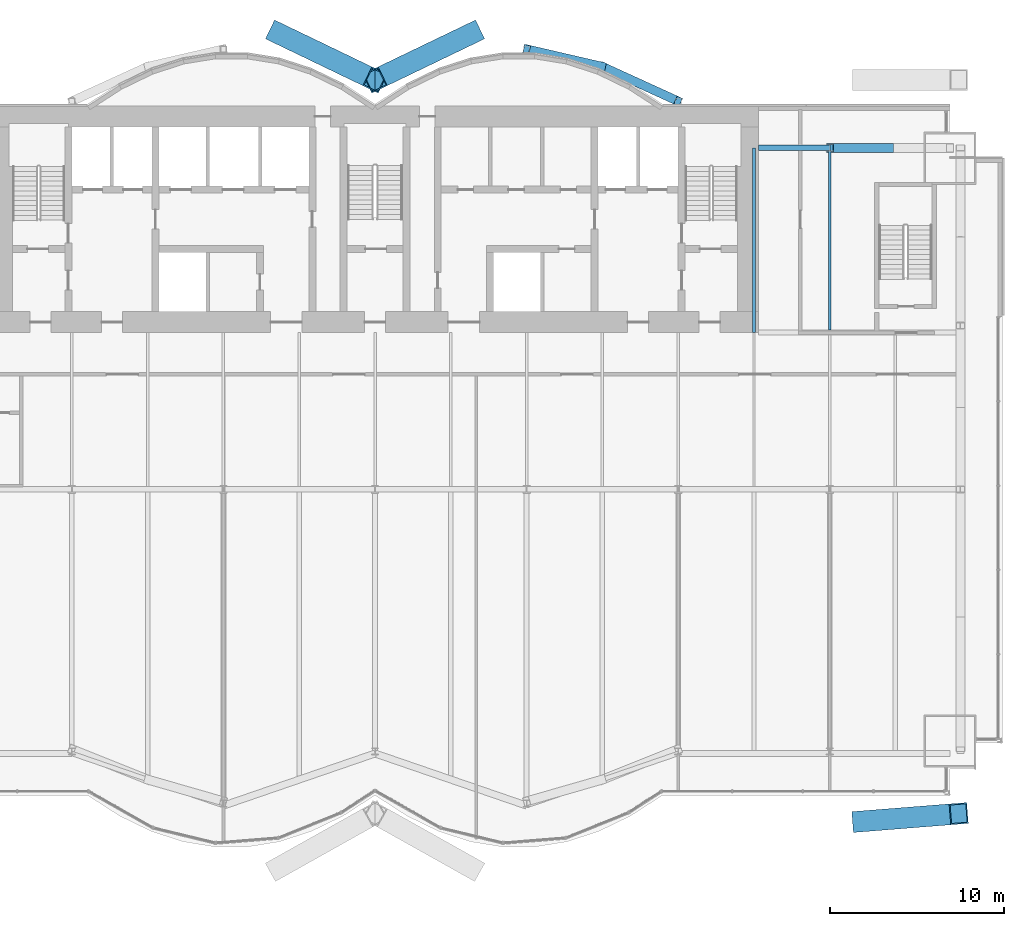
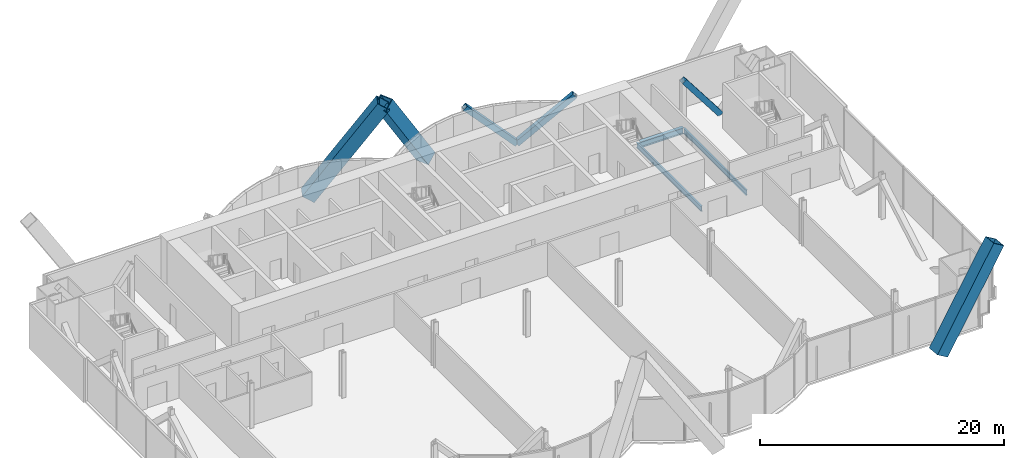
# One storey, part 11 of 21: 6 members, 3 beams.
"""IFC4 building model written with IfcOpenShell, lengths in metres."""

from ifc_helpers import new_model, si_unit, direction, frame, origin, origin_2d, place, context, subcontext, project, spatial, hollow_rectangle, i_section, extrude, material, material_profile, profile_set, type_object, element, save


model = new_model("IFC4")

# Units and contexts
model_context = context("Model", 3, precision=1e-05, world=origin(), true_north=direction((0.0, 1.0)))
body_context = subcontext(model_context, "Body", "Model", "MODEL_VIEW")
ifc_project = project(units=[si_unit("LENGTHUNIT", "METRE"), si_unit("AREAUNIT", "SQUARE_METRE"), si_unit("VOLUMEUNIT", "CUBIC_METRE"), si_unit("PLANEANGLEUNIT", "RADIAN"), si_unit("MASSUNIT", "GRAM", prefix="KILO")], contexts=[model_context])

# Site, building, storey
site_placement = place(None, origin())
site = spatial("IfcSite", under=ifc_project, at=site_placement, CompositionType="ELEMENT")
building_placement = place(site_placement, origin())
building = spatial("IfcBuilding", under=site, at=building_placement, Name="Bicima Exchange Tower", CompositionType="ELEMENT")
storey_placement = place(building_placement, frame((0.0, 0.0, 80.0)))
storey = spatial("IfcBuildingStorey", under=building, at=storey_placement, Name="L16", CompositionType="ELEMENT", Elevation=80.0)

# Members
ifc_material_1 = material(Name="Steel ASTM A572 Gr 50", Category="steel")
ifc_material_profile_1 = material_profile(ifc_material_1, hollow_rectangle(XDim=1.199951171875, YDim=1.199951171875, WallThickness=0.070068359375, at=origin_2d()))
ifc_profile_set_1 = profile_set([ifc_material_profile_1], Name="Steel ASTM A572 Gr 50")
member_type_1 = type_object("IfcMemberType", Name="Exo mega brace BOX 1200x1200x70", PredefinedType="BRACE", material=ifc_profile_set_1)
member_1_placement = place(storey_placement, frame((27.916748046875, -41.055908203125, 0.074951171875), z_axis=(0.52987784302, 0.042053797065, 0.847030666286), x_axis=(-0.079116300998, 0.996865392576, 0.0)))
element("IfcMember", 1, at=member_1_placement, inside=storey, type_object=member_type_1, Name="Exo mega brace front", PredefinedType="BRACE", context=body_context, shape_type="SweptSolid", body=[
    extrude(hollow_rectangle(XDim=1.199951171875, YDim=1.199951171875, WallThickness=0.070068359375, at=origin_2d()), origin(), (0.0, 0.0, 1.0), 10.536865234375),
])
for number, where, z_axis, x_axis, name in (
    (2, (-5.583251953125, 4.1865234375, 0.074951171875), (0.513878528582, -0.24726570154, 0.821455130061), (0.433591692225, 0.901109451972, 0.0), "Exo mega brace rear"),
    (3, (5.583251953125, 4.1865234375, 0.074951171875), (-0.513878528582, -0.24726570154, 0.821455130061), (0.433591692225, -0.901109451972, 0.0), "Exo mega brace rear"),
):
    element("IfcMember", number, at=place(storey_placement, frame(where, z_axis=z_axis, x_axis=x_axis)), inside=storey, type_object=member_type_1, Name=name, PredefinedType="BRACE", context=body_context, shape_type="SweptSolid", body=[
        extrude(hollow_rectangle(XDim=1.199951171875, YDim=1.199951171875, WallThickness=0.070068359375, at=origin_2d()), origin(), (0.0, 0.0, 1.0), 10.864990234375),
    ])

# Beams
ifc_material_2 = material(Name="Steel ASTM A992 Gr 50", Category="steel")
ifc_material_profile_2 = material_profile(ifc_material_2, i_section(OverallWidth=0.165771484375, OverallDepth=0.5283203125, WebThickness=0.009765625, FlangeThickness=0.013671875, at=origin_2d()))
ifc_profile_set_2 = profile_set([ifc_material_profile_2], Name="Steel ASTM A992 Gr 50")
beam_type_1 = type_object("IfcBeamType", Name="Floor beam W21x50", PredefinedType="JOIST", material=ifc_profile_set_2)
beam_1_placement = place(storey_placement, frame((21.75, -2.39990234375, -0.414306640625), z_axis=(0.0, -1.0, 0.0), x_axis=(1.0, 0.0, 0.0)))
element("IfcBeam", 4, at=beam_1_placement, inside=storey, type_object=beam_type_1, Name="Floor beam", PredefinedType="JOIST", context=body_context, shape_type="SweptSolid", body=[
    extrude(i_section(OverallWidth=0.165771484375, OverallDepth=0.5283203125, WebThickness=0.009765625, FlangeThickness=0.013671875, at=origin_2d()), origin(), (0.0, 0.0, 1.0), 10.60009765625),
])
beam_2_placement = place(storey_placement, frame((26.10009765625, -2.5625, -0.414306640625), z_axis=(0.0, -1.0, 0.0), x_axis=(1.0, 0.0, 0.0)))
element("IfcBeam", 5, at=beam_2_placement, inside=storey, type_object=beam_type_1, Name="Floor beam", PredefinedType="JOIST", context=body_context, shape_type="SweptSolid", body=[
    extrude(i_section(OverallWidth=0.165771484375, OverallDepth=0.5283203125, WebThickness=0.009765625, FlangeThickness=0.013671875, at=origin_2d()), origin(), (0.0, 0.0, 1.0), 10.28515625),
])

# Members
ifc_material_profile_3 = material_profile(ifc_material_1, hollow_rectangle(XDim=0.508056640625, YDim=0.508056640625, WallThickness=0.017822265625, at=origin_2d()))
ifc_profile_set_3 = profile_set([ifc_material_profile_3], Name="Steel ASTM A572 Gr 50")
member_type_2 = type_object("IfcMemberType", Name="Mega brace HSS20x20x3/4", PredefinedType="BRACE", material=ifc_profile_set_3)
member_2_placement = place(storey_placement, frame((13.050048828125, 2.262451171875, 0.0), z_axis=(0.662507516739, -0.302231638101, 0.685375683254), x_axis=(0.415045223819, 0.909800781592, 0.0)))
element("IfcMember", 6, at=member_2_placement, inside=storey, type_object=member_type_2, Name="Mega brace rexo", PredefinedType="BRACE", context=body_context, shape_type="SweptSolid", body=[
    extrude(hollow_rectangle(XDim=0.508056640625, YDim=0.508056640625, WallThickness=0.017822265625, at=origin_2d()), origin(), (0.0, 0.0, 1.0), 6.565673828125),
])
member_3_placement = place(storey_placement, frame((13.050048828125, 2.262451171875, 0.0), z_axis=(-0.686212303743, 0.158786245837, 0.709858860848), x_axis=(-0.225438503722, -0.974257399787, 0.0)))
element("IfcMember", 7, at=member_3_placement, inside=storey, type_object=member_type_2, Name="Mega brace rexo", PredefinedType="BRACE", context=body_context, shape_type="SweptSolid", body=[
    extrude(hollow_rectangle(XDim=0.508056640625, YDim=0.508056640625, WallThickness=0.017822265625, at=origin_2d()), origin(), (0.0, 0.0, 1.0), 6.33935546875),
])
member_4_placement = place(storey_placement, frame((29.550048828125, -2.39990234375, 0.0), z_axis=(-0.608426120198, 0.0, 0.793610519248), x_axis=(0.0, -1.0, 0.0)))
element("IfcMember", 8, at=member_4_placement, inside=storey, type_object=member_type_2, Name="Mega brace rear", PredefinedType="BRACE", context=body_context, shape_type="SweptSolid", body=[
    extrude(hollow_rectangle(XDim=0.508056640625, YDim=0.508056640625, WallThickness=0.017822265625, at=origin_2d()), origin(), (0.0, 0.0, 1.0), 5.670166015625),
])

# Beam
ifc_material_profile_4 = material_profile(ifc_material_2, i_section(OverallWidth=0.3251953125, OverallDepth=0.612060546875, WebThickness=0.0126953125, FlangeThickness=0.01904296875, at=origin_2d()))
ifc_profile_set_4 = profile_set([ifc_material_profile_4], Name="Steel ASTM A992 Gr 50")
beam_type_2 = type_object("IfcBeamType", Name="Rear girder W24x104", PredefinedType="BEAM", material=ifc_profile_set_4)
beam_3_placement = place(storey_placement, frame((22.0, -2.39990234375, -0.4560546875), z_axis=(1.0, 0.0, 0.0), x_axis=(0.0, 1.0, 0.0)))
element("IfcBeam", 9, at=beam_3_placement, inside=storey, type_object=beam_type_2, Name="Rear girder", PredefinedType="BEAM", context=body_context, shape_type="SweptSolid", body=[
    extrude(i_section(OverallWidth=0.3251953125, OverallDepth=0.612060546875, WebThickness=0.0126953125, FlangeThickness=0.01904296875, at=origin_2d()), origin(), (0.0, 0.0, 1.0), 4.10009765625),
])

save(model, "model.ifc")
